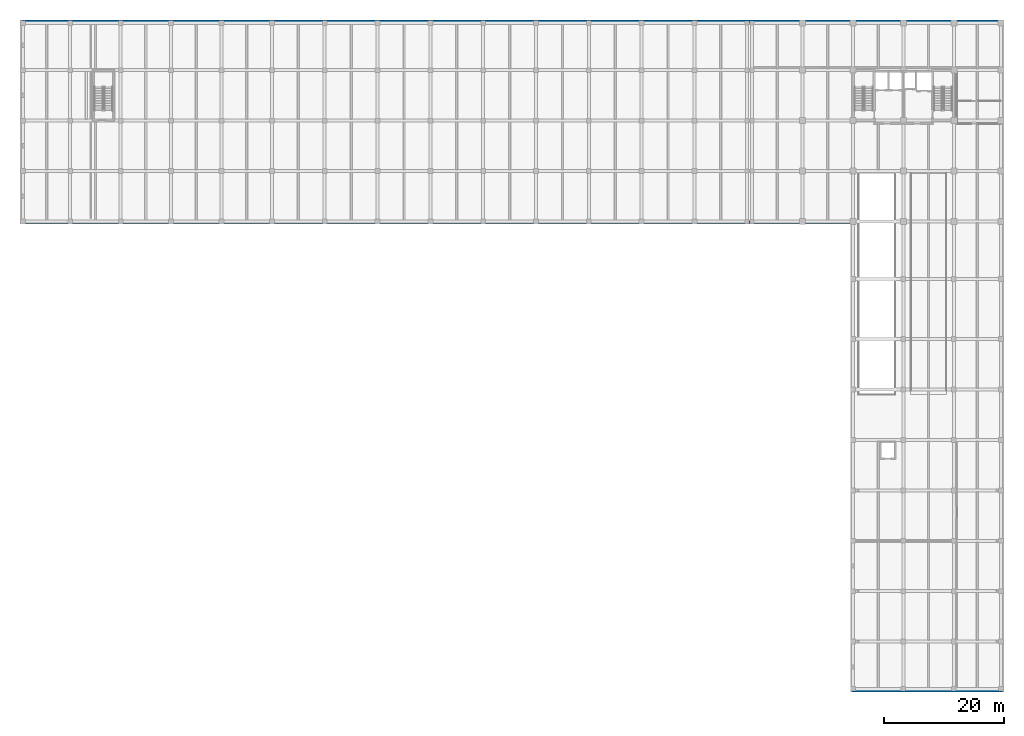
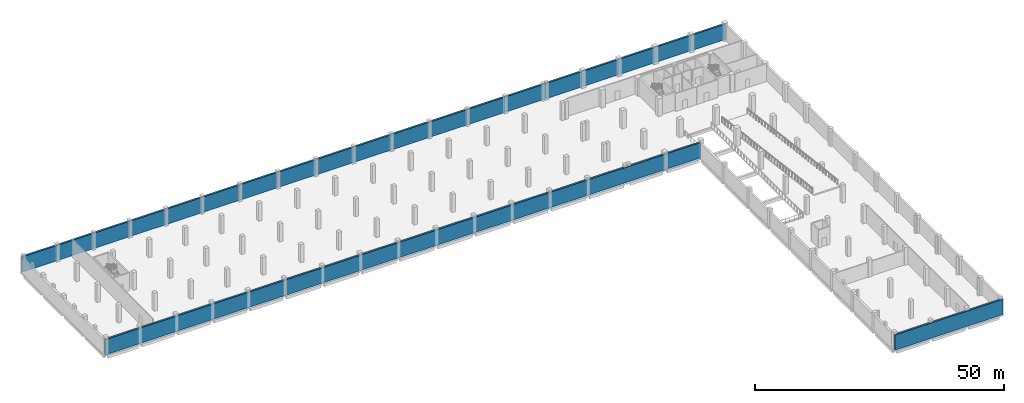
# One storey, part 10 of 17: 3 walls.
"""IFC4 building model written with IfcOpenShell, lengths in metres."""

import ifcopenshell
import ifcopenshell.guid

model = None  # the IFC model being written
_history = None  # IfcOwnerHistory: only IFC2X3 demands one
_inside = {}  # id of a spatial element -> (the spatial element, [elements in it])
_under = {}  # id of a project, library or spatial element -> (it, [spatial elements below it])
_declared = {}  # id of a project -> (the project, [libraries it declares])
_typed = {}  # id of a type object -> (the type object, [elements of that type])
_made_of = {}  # id of a material, layer set ... -> (it, [elements and type objects made of it])


def new_model(schema):
    """Start an empty IFC model of exactly this schema.

    Asked for "IFC4X3", IfcOpenShell would pick the latest addendum, in which some entities
    have other attributes; the version numbers below select the first issue.
    IFC2X3 requires an IfcOwnerHistory on every rooted entity: one is made here for all.
    """
    global model, _history
    if schema == "IFC4X3":
        model = ifcopenshell.file(schema_version=(4, 3, 0, 0))
    else:
        model = ifcopenshell.file(schema=schema)
    _inside.clear()
    _under.clear()
    _declared.clear()
    _typed.clear()
    _made_of.clear()
    _history = None
    if model.schema == "IFC2X3":
        org = make("IfcOrganization", Name="unknown")
        user = make(
            "IfcPersonAndOrganization",
            ThePerson=make("IfcPerson", FamilyName="unknown"),
            TheOrganization=org,
        )
        app = make(
            "IfcApplication",
            ApplicationDeveloper=org,
            Version="unknown",
            ApplicationFullName="unknown",
            ApplicationIdentifier="unknown",
        )
        _history = make(
            "IfcOwnerHistory",
            OwningUser=user,
            OwningApplication=app,
            ChangeAction="ADDED",
            CreationDate=0,
        )
    return model


def make(cls, **values):
    """One entity of the class cls with the attributes given. An attribute that is None is left unset."""
    return model.create_entity(
        cls, **{name: value for name, value in values.items() if value is not None}
    )


def rooted(cls, **values):
    """An entity with a GlobalId (a new one), such as an element, a storey or a relation."""
    return make(cls, GlobalId=ifcopenshell.guid.new(), OwnerHistory=_history, **values)


def si_unit(unit_type, name, prefix=None):
    """IfcSIUnit, for example si_unit("LENGTHUNIT", "METRE", prefix="MILLI")."""
    return make("IfcSIUnit", UnitType=unit_type, Prefix=prefix, Name=name)


def assignment(units):
    """IfcUnitAssignment: the units of a project."""
    return None if units is None else make("IfcUnitAssignment", Units=units)


def point(xyz):
    """IfcCartesianPoint."""
    return None if xyz is None else make("IfcCartesianPoint", Coordinates=xyz)


def direction(xyz):
    """IfcDirection."""
    return None if xyz is None else make("IfcDirection", DirectionRatios=xyz)


def frame(location, z_axis=None, x_axis=None):
    """IfcAxis2Placement3D, a coordinate frame: its origin and axes. An axis left out is left unset."""
    return make(
        "IfcAxis2Placement3D",
        Location=point(location),
        Axis=direction(z_axis),
        RefDirection=direction(x_axis),
    )


def frame_2d(location, x_axis=None):
    """IfcAxis2Placement2D, a coordinate frame in the plane: its origin and x axis."""
    return make(
        "IfcAxis2Placement2D", Location=point(location), RefDirection=direction(x_axis)
    )


def origin():
    """The frame at (0, 0, 0) with its axes left unset."""
    return frame((0.0, 0.0, 0.0))


def place(relative_to, where):
    """IfcLocalPlacement: puts the frame where relative to a parent placement (None: the world)."""
    return make(
        "IfcLocalPlacement", PlacementRelTo=relative_to, RelativePlacement=where
    )


def context(
    kind, dimensions, precision=None, world=None, true_north=None, identifier=None
):
    """IfcGeometricRepresentationContext, for example the 3D "Model" context."""
    return make(
        "IfcGeometricRepresentationContext",
        ContextIdentifier=identifier,
        ContextType=kind,
        CoordinateSpaceDimension=dimensions,
        Precision=precision,
        WorldCoordinateSystem=world,
        TrueNorth=true_north,
    )


def subcontext(parent, identifier, kind, view, scale=None):
    """IfcGeometricRepresentationSubContext, for example "Body" below "Model"."""
    return make(
        "IfcGeometricRepresentationSubContext",
        ContextIdentifier=identifier,
        ContextType=kind,
        ParentContext=parent,
        TargetScale=scale,
        TargetView=view,
    )


def project(units=None, contexts=None):
    """IfcProject with its units and contexts."""
    return rooted(
        "IfcProject",
        Name="project",
        RepresentationContexts=contexts,
        UnitsInContext=assignment(units),
    )


def spatial(cls, under=None, at=None, **own):
    """A site, building, storey or space (cls), placed at a placement, below another one or the project."""
    s = rooted(cls, ObjectPlacement=at, **own)
    if under is not None:
        _under.setdefault(under.id(), (under, []))[1].append(s)
    return s


def profile(cls, at=None, kind="AREA", **sizes):
    """A parametric profile (cls). Its sizes go by their IFC names, for example OverallWidth=200.0."""
    return make(cls, ProfileType=kind, Position=at, **sizes)


def rectangle(**sizes):
    """IfcRectangleProfileDef."""
    return profile("IfcRectangleProfileDef", **sizes)


def extrude(swept, where, along, depth):
    """IfcExtrudedAreaSolid: the profile swept, set in the frame where, extruded along a direction by depth."""
    return make(
        "IfcExtrudedAreaSolid",
        SweptArea=swept,
        Position=where,
        ExtrudedDirection=direction(along),
        Depth=depth,
    )


def shape(context_of_items, identifier, shape_type, items):
    """IfcShapeRepresentation: the items that make up one representation, for example the "Body"."""
    return make(
        "IfcShapeRepresentation",
        ContextOfItems=context_of_items,
        RepresentationIdentifier=identifier,
        RepresentationType=shape_type,
        Items=items,
    )


def material(Name=None, Category=None):
    """IfcMaterial."""
    return make("IfcMaterial", Name=Name, Category=Category)


def layer(
    of_material, thickness, ventilated=None, Name=None, Category=None, Priority=None
):
    """IfcMaterialLayer: one layer of a wall or slab, of a material (None: an air gap)."""
    return make(
        "IfcMaterialLayer",
        Material=of_material,
        LayerThickness=thickness,
        IsVentilated=ventilated,
        Name=Name,
        Category=Category,
        Priority=Priority,
    )


def layer_set(layers, Name=None):
    """IfcMaterialLayerSet."""
    return make("IfcMaterialLayerSet", MaterialLayers=layers, LayerSetName=Name)


def made_of(thing, what):
    """Note that an element or type object is made of a material, layer set ...; save() writes the relation."""
    if what is not None:
        _made_of.setdefault(what.id(), (what, []))[1].append(thing)
    return thing


def type_object(cls, material=None, **own):
    """A type object (cls), such as IfcWallType, which elements share."""
    return made_of(rooted(cls, **own), material)


def element(
    cls,
    number,
    at=None,
    inside=None,
    cuts=None,
    type_object=None,
    material=None,
    context=None,
    identifier="Body",
    shape_type=None,
    held_by="IfcProductDefinitionShape",
    body=None,
    shapes=None,
    **own,
):
    """One element of the class cls, such as IfcWall. Its Tag is "e" and its number.

    at: its placement. inside: the storey or other place that contains it. cuts: it is an
    opening in that element (IfcRelVoidsElement). A single representation is given by context,
    identifier, shape_type and body (its items); several are given by shapes. held_by: the class
    of the entity that holds the representations. save() writes the other relations.
    """
    e = rooted(cls, Tag="e%d" % number, ObjectPlacement=at, **own)
    if body is not None:
        shapes = [shape(context, identifier, shape_type, body)]
    if shapes is not None:
        e.Representation = make(held_by, Representations=shapes)
    if inside is not None:
        _inside.setdefault(inside.id(), (inside, []))[1].append(e)
    if cuts is not None:
        rooted(
            "IfcRelVoidsElement", RelatingBuildingElement=cuts, RelatedOpeningElement=e
        )
    if type_object is not None:
        _typed.setdefault(type_object.id(), (type_object, []))[1].append(e)
    return made_of(e, material)


def aggregate(whole, parts):
    """IfcRelAggregates: a whole, such as a stair, and the parts it consists of."""
    return rooted("IfcRelAggregates", RelatingObject=whole, RelatedObjects=parts)


def save(model, path):
    """Write the relations noted so far, then the file.

    IfcRelAggregates (storeys below a building ...), IfcRelContainedInSpatialStructure (elements
    in a storey), IfcRelDefinesByType, IfcRelAssociatesMaterial and IfcRelDeclares: one each for
    every whole, place, type object, material and project.
    """
    for whole, parts in _under.values():
        aggregate(whole, parts)
    for where, things in _inside.values():
        rooted(
            "IfcRelContainedInSpatialStructure",
            RelatedElements=things,
            RelatingStructure=where,
        )
    for kind, things in _typed.values():
        rooted("IfcRelDefinesByType", RelatedObjects=things, RelatingType=kind)
    for what, things in _made_of.values():
        rooted("IfcRelAssociatesMaterial", RelatedObjects=things, RelatingMaterial=what)
    for by, libraries in _declared.values():
        rooted("IfcRelDeclares", RelatingContext=by, RelatedDefinitions=libraries)
    model.write(path)


model = new_model("IFC4")

# Units and contexts
model_context = context("Model", 3, precision=1e-05, world=origin(), true_north=direction((0.0, 1.0)))
body_context = subcontext(model_context, "Body", "Model", "MODEL_VIEW")
ifc_project = project(units=[si_unit("LENGTHUNIT", "METRE"), si_unit("AREAUNIT", "SQUARE_METRE"), si_unit("VOLUMEUNIT", "CUBIC_METRE"), si_unit("PLANEANGLEUNIT", "RADIAN"), si_unit("MASSUNIT", "GRAM", prefix="KILO")], contexts=[model_context])

# Site, building, storey
site_placement = place(None, origin())
site = spatial("IfcSite", under=ifc_project, at=site_placement, CompositionType="ELEMENT")
building_placement = place(site_placement, origin())
building = spatial("IfcBuilding", under=site, at=building_placement, Name="Brinegate Botanical Conservatory", CompositionType="ELEMENT")
storey_placement = place(building_placement, frame((0.0, 0.0, -4.800048828125)))
storey = spatial("IfcBuildingStorey", under=building, at=storey_placement, Name="B1", CompositionType="ELEMENT", Elevation=-4.800048828125)

# Walls
ifc_material = material(Name="Concrete C50/60", Category="concrete")
ifc_layer = layer(ifc_material, 0.449951171875, Name="Concrete C50/60", Category="concrete")
ifc_layer_set = layer_set([ifc_layer], Name="Concrete C50/60")
wall_type = type_object("IfcWallType", Name="Wall_SW-450", PredefinedType="SHEAR", material=ifc_layer_set)
wall_1_placement = place(storey_placement, frame((0.260009765625, 78.25, 0.0), z_axis=(0.0, 0.0, 1.0), x_axis=(1.0, 0.0, 0.0)))
element("IfcWall", 1, at=wall_1_placement, inside=storey, type_object=wall_type, Name="Basement perimeter retaining shear wall B1.1", PredefinedType="SHEAR", context=body_context, shape_type="SweptSolid", body=[
    extrude(rectangle(XDim=138.389892578125, YDim=0.449951171875, at=frame_2d((69.19482421875, 0.0))), origin(), (0.0, 0.0, 1.0), 3.75),
])
wall_2_placement = place(storey_placement, frame((138.64990234375, 0.260009765625, 0.0), z_axis=(0.0, 0.0, 1.0), x_axis=(1.0, 0.0, 0.0)))
element("IfcWall", 2, at=wall_2_placement, inside=storey, type_object=wall_type, Name="Basement perimeter retaining shear wall B1.3", PredefinedType="SHEAR", context=body_context, shape_type="SweptSolid", body=[
    extrude(rectangle(XDim=25.090087890625, YDim=0.449951171875, at=frame_2d((12.544921875, 0.0))), origin(), (0.0, 0.0, 1.0), 3.75),
])
wall_3_placement = place(storey_placement, frame((163.739990234375, 111.739990234375, 0.0), z_axis=(0.0, 0.0, 1.0), x_axis=(-1.0, 0.0, 0.0)))
element("IfcWall", 3, at=wall_3_placement, inside=storey, type_object=wall_type, Name="Basement perimeter retaining shear wall B1.5", PredefinedType="SHEAR", context=body_context, shape_type="SweptSolid", body=[
    extrude(rectangle(XDim=163.47998046875, YDim=0.449951171875, at=frame_2d((81.739990234375, 0.0))), origin(), (0.0, 0.0, 1.0), 3.75),
])

save(model, "model.ifc")
